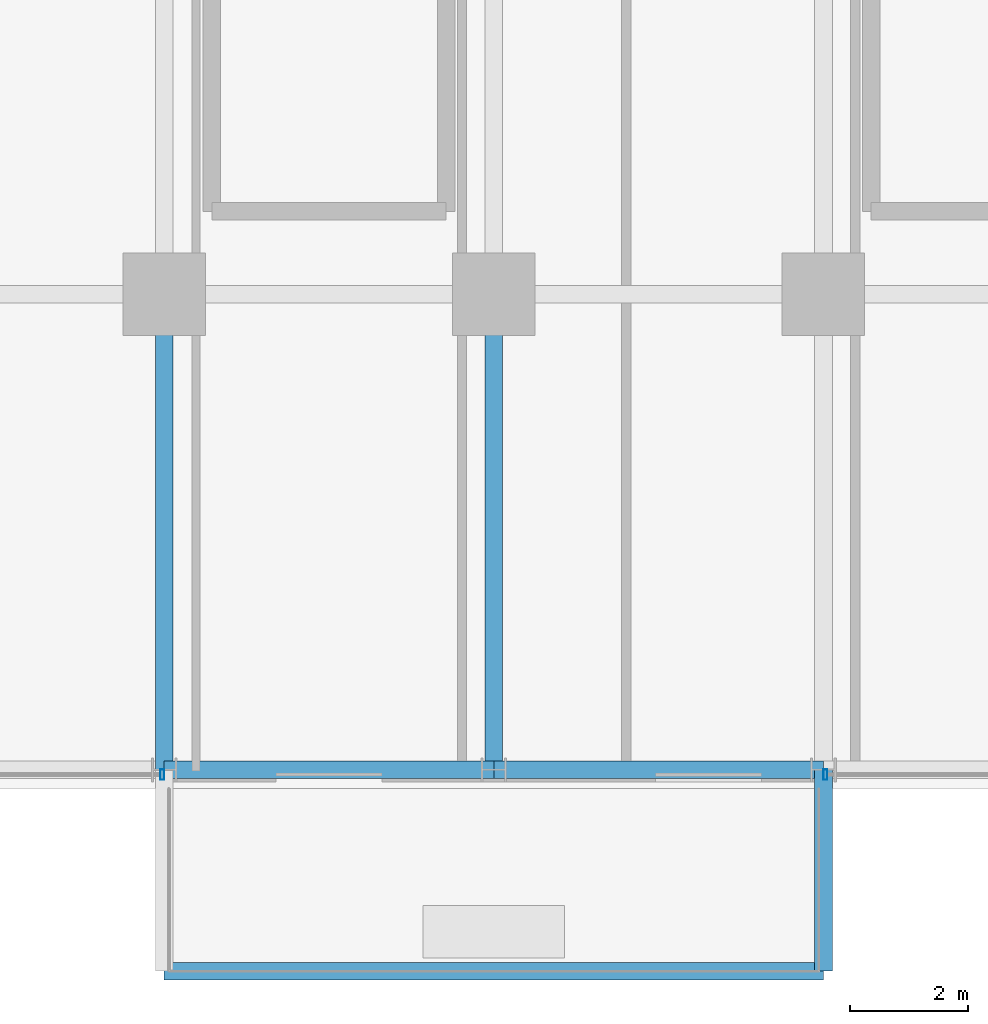
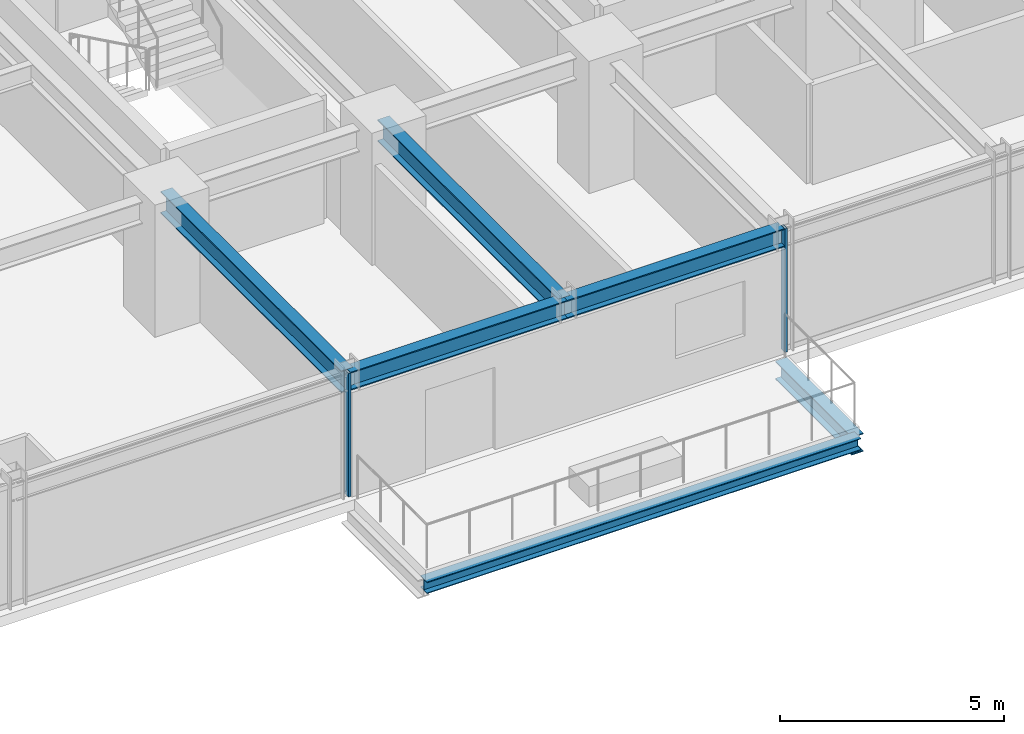
# One storey, part 5 of 36: 6 beams, 2 members, 2 elements without a shape of their own.
"""IFC4 building model written with IfcOpenShell, lengths in metres."""

from ifc_helpers import new_model, si_unit, direction, frame, origin, origin_2d, place, context, subcontext, project, spatial, hollow_rectangle, i_section, extrude, source, transform, mapped, material, material_profile, profile_set, type_object, element, aggregate, save


model = new_model("IFC4")

# Units and contexts
model_context = context("Model", 3, precision=1e-05, world=origin(), true_north=direction((0.0, 1.0)))
body_context = subcontext(model_context, "Body", "Model", "MODEL_VIEW")
ifc_project = project(units=[si_unit("LENGTHUNIT", "METRE"), si_unit("AREAUNIT", "SQUARE_METRE"), si_unit("VOLUMEUNIT", "CUBIC_METRE"), si_unit("PLANEANGLEUNIT", "RADIAN"), si_unit("MASSUNIT", "GRAM", prefix="KILO")], contexts=[model_context])

# Site, building, storey
site_placement = place(None, origin())
site = spatial("IfcSite", under=ifc_project, at=site_placement, CompositionType="ELEMENT")
building_placement = place(site_placement, origin())
building = spatial("IfcBuilding", under=site, at=building_placement, Name="Nahalor Promenade Grand Hotel", CompositionType="ELEMENT")
storey_placement = place(building_placement, frame((0.0, 0.0, 72.550048828125)))
storey = spatial("IfcBuildingStorey", under=building, at=storey_placement, Name="L17", CompositionType="ELEMENT", Elevation=72.550048828125)

# Beams
ifc_material_1 = material(Name="Steel S355JR", Category="steel")
ifc_material_profile_1 = material_profile(ifc_material_1, i_section(OverallWidth=0.3, OverallDepth=0.32, WebThickness=0.0115, FlangeThickness=0.0205, at=origin_2d()), Name="HEB 320")
ifc_profile_set_1 = profile_set([ifc_material_profile_1], Name="Steel S355JR")
beam_type_1 = type_object("IfcBeamType", Name="Beam-BalcEdge-HEB320", PredefinedType="SPANDREL", material=ifc_profile_set_1)
shared_shape_1 = source(origin(), body_context, "Body", "SweptSolid", [
    extrude(i_section(OverallWidth=0.3, OverallDepth=0.32, WebThickness=0.0115, FlangeThickness=0.0205, at=origin_2d()), origin(), (0.0, 0.0, 1.0), 11.199951171875),
])
beam_1_placement = place(storey_placement, frame((-8.39990234375, -28.5, -0.43994140625), z_axis=(1.0, 0.0, 0.0), x_axis=(0.0, 1.0, 0.0)))
element("IfcBeam", 1, at=beam_1_placement, inside=storey, type_object=beam_type_1, Name="BM-L17-BC-01-F", PredefinedType="SPANDREL", context=body_context, shape_type="MappedRepresentation", body=[
    mapped(shared_shape_1, transform((0.0, 0.0, 0.0), scale=1.0)),
])
ifc_material_profile_2 = material_profile(ifc_material_1, i_section(OverallWidth=0.3, OverallDepth=0.5, WebThickness=0.0145, FlangeThickness=0.028, at=origin_2d()), Name="HEB 500")
ifc_profile_set_2 = profile_set([ifc_material_profile_2], Name="Steel S355JR")
beam_type_2 = type_object("IfcBeamType", Name="Beam-Outrigger-HEB500", PredefinedType="BEAM", material=ifc_profile_set_2)
shared_shape_2 = source(origin(), body_context, "Body", "SweptSolid", [
    extrude(i_section(OverallWidth=0.3, OverallDepth=0.5, WebThickness=0.0145, FlangeThickness=0.028, at=origin_2d()), origin(), (0.0, 0.0, 1.0), 3.419921875),
])
beam_2_placement = place(storey_placement, frame((2.800048828125, -28.5, -0.530029296875), z_axis=(0.0, 1.0, 0.0), x_axis=(-1.0, 0.0, 0.0)))
element("IfcBeam", 2, at=beam_2_placement, inside=storey, type_object=beam_type_2, Name="BM-L17-BC-01-2", PredefinedType="BEAM", context=body_context, shape_type="MappedRepresentation", body=[
    mapped(shared_shape_2, transform((0.0, 0.0, 0.0), scale=1.0)),
])
ifc_material_profile_3 = material_profile(ifc_material_1, i_section(OverallWidth=0.3, OverallDepth=0.5, WebThickness=0.0145, FlangeThickness=0.028, at=origin_2d()), Name="HEB 500")
ifc_profile_set_3 = profile_set([ifc_material_profile_3], Name="Steel S355JR")
beam_type_3 = type_object("IfcBeamType", Name="Beam-Spandrel-HEB500", PredefinedType="SPANDREL", material=ifc_profile_set_3)
shared_shape_3 = source(origin(), body_context, "Body", "SweptSolid", [
    extrude(i_section(OverallWidth=0.3, OverallDepth=0.5, WebThickness=0.0145, FlangeThickness=0.028, at=origin_2d()), origin(), (0.0, 0.0, 1.0), 5.599853515625),
])
beam_3_placement = place(storey_placement, frame((-8.39990234375, -25.080078125, 3.119873046875), z_axis=(1.0, 0.0, 0.0), x_axis=(0.0, 1.0, 0.0)))
element("IfcBeam", 3, at=beam_3_placement, inside=storey, type_object=beam_type_3, Name="BM-L17-SP-S-1", PredefinedType="SPANDREL", context=body_context, shape_type="MappedRepresentation", body=[
    mapped(shared_shape_3, transform((0.0, 0.0, 0.0), scale=1.0)),
])
shared_shape_4 = source(origin(), body_context, "Body", "SweptSolid", [
    extrude(i_section(OverallWidth=0.3, OverallDepth=0.5, WebThickness=0.0145, FlangeThickness=0.028, at=origin_2d()), origin(), (0.0, 0.0, 1.0), 5.60009765625),
])
beam_4_placement = place(storey_placement, frame((-2.800048828125, -25.080078125, 3.119873046875), z_axis=(1.0, 0.0, 0.0), x_axis=(0.0, 1.0, 0.0)))
element("IfcBeam", 4, at=beam_4_placement, inside=storey, type_object=beam_type_3, Name="BM-L17-SP-S-2", PredefinedType="SPANDREL", context=body_context, shape_type="MappedRepresentation", body=[
    mapped(shared_shape_4, transform((0.0, 0.0, 0.0), scale=1.0)),
])
ifc_material_profile_4 = material_profile(ifc_material_1, i_section(OverallWidth=0.3, OverallDepth=0.6, WebThickness=0.0155, FlangeThickness=0.03, at=origin_2d()), Name="HEB 600")
ifc_profile_set_4 = profile_set([ifc_material_profile_4], Name="Steel S355JR")
beam_type_4 = type_object("IfcBeamType", Name="Beam-Girder-HEB600", PredefinedType="BEAM", material=ifc_profile_set_4)
shared_shape_5 = source(origin(), body_context, "Body", "SweptSolid", [
    extrude(i_section(OverallWidth=0.3, OverallDepth=0.6, WebThickness=0.0155, FlangeThickness=0.03, at=origin_2d()), origin(), (0.0, 0.0, 1.0), 8.080078125),
])
for number, where, z_axis, x_axis, name in (
    (5, (-8.39990234375, -25.080078125, 3.070068359375), (0.0, 1.0, 0.0), (-1.0, 0.0, 0.0), "BM-L17-GY-1-0"),
    (6, (-2.800048828125, -25.080078125, 3.070068359375), (0.0, 1.0, 0.0), (-1.0, 0.0, 0.0), "BM-L17-GY-2-0"),
):
    element("IfcBeam", number, at=place(storey_placement, frame(where, z_axis=z_axis, x_axis=x_axis)), inside=storey, type_object=beam_type_4, Name=name, PredefinedType="BEAM", context=body_context, shape_type="MappedRepresentation", body=[
        mapped(shared_shape_5, transform((0.0, 0.0, 0.0), scale=1.0)),
    ])

# Curtain wall, member
ifc_material_2 = material(Name="Anodised Bronze Aluminium EN AW-6063 T6", Category="aluminium")
curtain_wall_type = type_object("IfcCurtainWallType", Name="CW2 Typical Hotel Flush Bronze Unitised Curtain Wall", PredefinedType="USERDEFINED", material=ifc_material_2)
curtain_wall_1_placement = place(storey_placement, origin())
curtain_wall_1 = element("IfcCurtainWall", 7, at=curtain_wall_1_placement, inside=storey, type_object=curtain_wall_type, Name="L17 Curtain Wall CW-L17-S-1", ObjectType="UNITISED_CURTAIN_WALL", PredefinedType="USERDEFINED")
ifc_material_profile_5 = material_profile(ifc_material_2, hollow_rectangle(XDim=0.065, YDim=0.18, WallThickness=0.004, at=origin_2d()), Name="CWM 65x180x4")
ifc_profile_set_5 = profile_set([ifc_material_profile_5], Name="Anodised Bronze Aluminium EN AW-6063 T6")
member_type = type_object("IfcMemberType", Name="CWM2 Typical Bronze Mullion 65x180", PredefinedType="MULLION", material=ifc_profile_set_5)
shared_shape_6 = source(origin(), body_context, "Body", "SweptSolid", [
    extrude(hollow_rectangle(XDim=0.065, YDim=0.18, WallThickness=0.004, at=origin_2d()), origin(), (0.0, 0.0, 1.0), 3.369873046875),
])
member_1_placement = place(storey_placement, frame((-8.4326171875, -25.159912109375, 0.0), z_axis=(0.0, 0.0, 1.0), x_axis=(1.0, 0.0, 0.0)))
member_1 = element("IfcMember", 8, at=member_1_placement, type_object=member_type, Name="CW-L17-S-1 Mullion 1", PredefinedType="MULLION", context=body_context, shape_type="MappedRepresentation", body=[
    mapped(shared_shape_6, transform((0.0, 0.0, 0.0), scale=1.0)),
])
aggregate(curtain_wall_1, [member_1])

curtain_wall_2_placement = place(storey_placement, origin())
curtain_wall_2 = element("IfcCurtainWall", 9, at=curtain_wall_2_placement, inside=storey, type_object=curtain_wall_type, Name="L17 Curtain Wall CW-L17-S-3", ObjectType="UNITISED_CURTAIN_WALL", PredefinedType="USERDEFINED")
member_2_placement = place(storey_placement, frame((2.83251953125, -25.159912109375, 0.0), z_axis=(0.0, 0.0, 1.0), x_axis=(1.0, 0.0, 0.0)))
member_2 = element("IfcMember", 10, at=member_2_placement, type_object=member_type, Name="CW-L17-S-3 Mullion 0", PredefinedType="MULLION", context=body_context, shape_type="MappedRepresentation", body=[
    mapped(shared_shape_6, transform((0.0, 0.0, 0.0), scale=1.0)),
])
aggregate(curtain_wall_2, [member_2])

save(model, "model.ifc")
